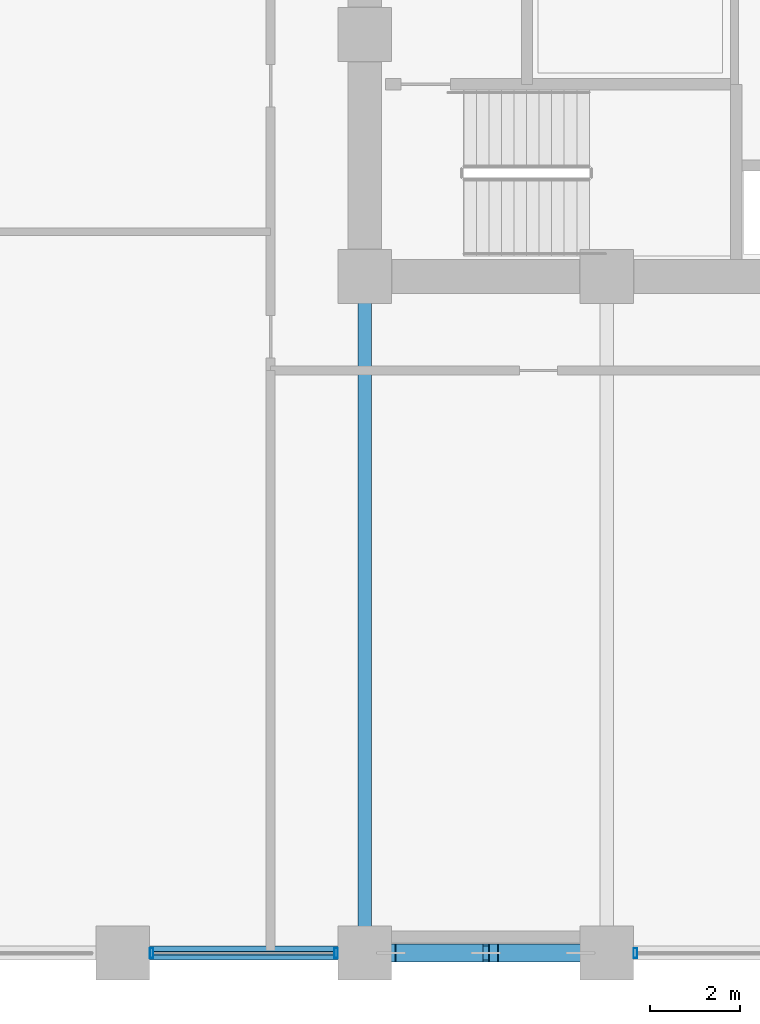
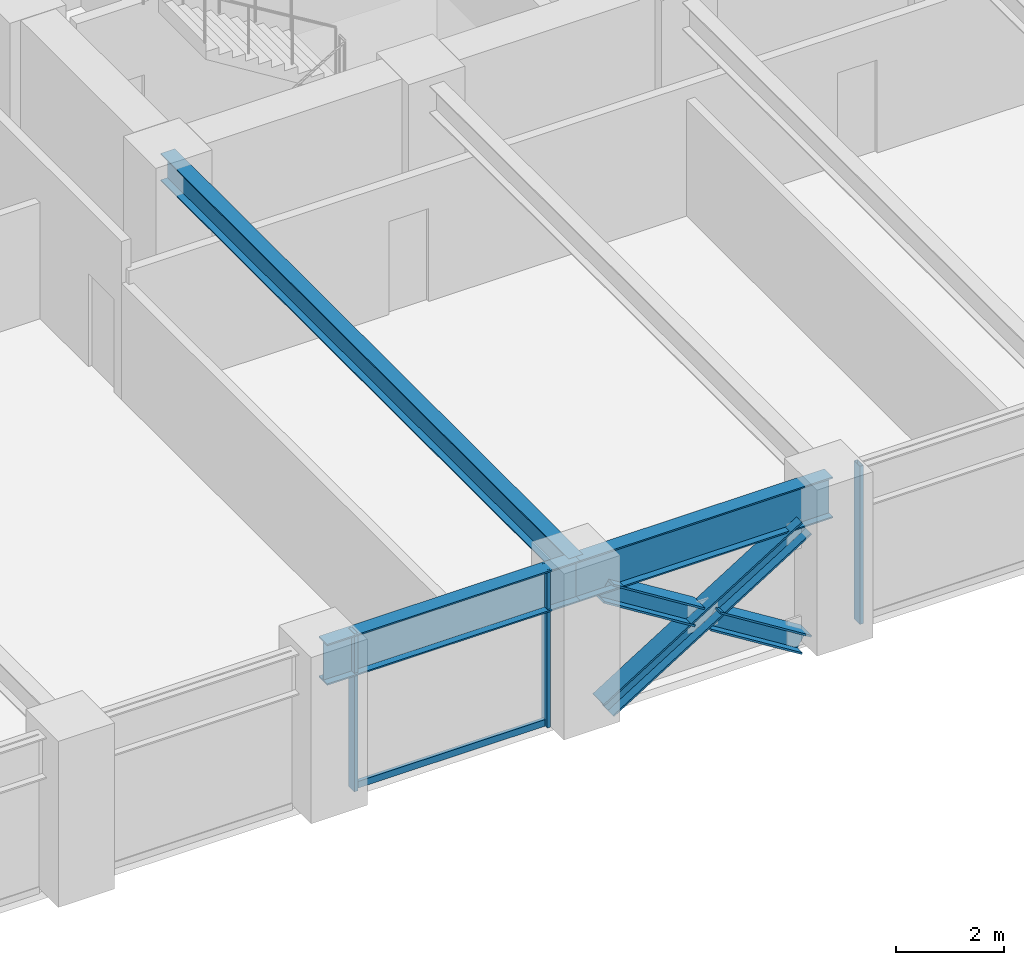
# One storey, part 4 of 27: 7 members, 3 beams, 2 elements without a shape of their own.
"""IFC4 building model written with IfcOpenShell, lengths in metres."""

from ifc_helpers import new_model, si_unit, direction, frame, origin, origin_2d, place, context, subcontext, project, spatial, hollow_rectangle, i_section, extrude, material, layer, layer_set, material_profile, profile_set, type_object, element, aggregate, save


model = new_model("IFC4")

# Units and contexts
model_context = context("Model", 3, precision=1e-05, world=origin(), true_north=direction((0.0, 1.0)))
body_context = subcontext(model_context, "Body", "Model", "MODEL_VIEW")
ifc_project = project(units=[si_unit("LENGTHUNIT", "METRE"), si_unit("AREAUNIT", "SQUARE_METRE"), si_unit("VOLUMEUNIT", "CUBIC_METRE"), si_unit("PLANEANGLEUNIT", "RADIAN"), si_unit("MASSUNIT", "GRAM", prefix="KILO")], contexts=[model_context])

# Site, building, storey
site_placement = place(None, origin())
site = spatial("IfcSite", under=ifc_project, at=site_placement, CompositionType="ELEMENT")
building_placement = place(site_placement, origin())
building = spatial("IfcBuilding", under=site, at=building_placement, Name="Surkhivell Harbour Commons", CompositionType="ELEMENT")
storey_placement = place(building_placement, frame((0.0, 0.0, 56.25)))
storey = spatial("IfcBuildingStorey", under=building, at=storey_placement, Name="L14", CompositionType="ELEMENT", Elevation=56.25)

# Beams
ifc_material_1 = material(Name="Steel S355", Category="steel")
ifc_material_profile_1 = material_profile(ifc_material_1, i_section(OverallWidth=0.306884765625, OverallDepth=0.6201171875, WebThickness=0.01416015625, FlangeThickness=0.023681640625, at=origin_2d()), Name="UB610x305x179")
ifc_profile_set_1 = profile_set([ifc_material_profile_1], Name="Steel S355")
beam_type_1 = type_object("IfcBeamType", Name="BM-GRD-610A", PredefinedType="BEAM", material=ifc_profile_set_1)
beam_1_placement = place(storey_placement, frame((-10.800048828125, -25.89990234375, 3.260009765625), z_axis=(0.0, 1.0, 0.0), x_axis=(-1.0, 0.0, 0.0)))
element("IfcBeam", 1, at=beam_1_placement, inside=storey, type_object=beam_type_1, Name="L14 Floor Girder (-10.8,-25.9)", PredefinedType="BEAM", context=body_context, shape_type="SweptSolid", body=[
    extrude(i_section(OverallWidth=0.306884765625, OverallDepth=0.6201171875, WebThickness=0.01416015625, FlangeThickness=0.023681640625, at=origin_2d()), origin(), (0.0, 0.0, 1.0), 15.099853515625),
])
ifc_material_2 = material(Name="Steel S460", Category="steel")
ifc_material_profile_2 = material_profile(ifc_material_2, i_section(OverallWidth=0.30810546875, OverallDepth=0.927001953125, WebThickness=0.01953125, FlangeThickness=0.031982421875, at=origin_2d()), Name="UB914x305x289")
ifc_profile_set_2 = profile_set([ifc_material_profile_2], Name="Steel S460")
beam_type_2 = type_object("IfcBeamType", Name="BM-SPN-914B", PredefinedType="SPANDREL", material=ifc_profile_set_2)
beam_2_placement = place(storey_placement, frame((-16.199951171875, -25.89990234375, 3.1064453125), z_axis=(1.0, 0.0, 0.0), x_axis=(0.0, 1.0, 0.0)))
element("IfcBeam", 2, at=beam_2_placement, inside=storey, type_object=beam_type_2, Name="L14 Tube Spandrel (-16.2,-25.9)", PredefinedType="SPANDREL", context=body_context, shape_type="SweptSolid", body=[
    extrude(i_section(OverallWidth=0.30810546875, OverallDepth=0.927001953125, WebThickness=0.01953125, FlangeThickness=0.031982421875, at=origin_2d()), origin(), (0.0, 0.0, 1.0), 5.39990234375),
])
beam_3_placement = place(storey_placement, frame((-10.800048828125, -25.89990234375, 3.1064453125), z_axis=(1.0, 0.0, 0.0), x_axis=(0.0, 1.0, 0.0)))
element("IfcBeam", 3, at=beam_3_placement, inside=storey, type_object=beam_type_2, Name="L14 Tube Spandrel (-10.8,-25.9)", PredefinedType="SPANDREL", context=body_context, shape_type="SweptSolid", body=[
    extrude(i_section(OverallWidth=0.30810546875, OverallDepth=0.927001953125, WebThickness=0.01953125, FlangeThickness=0.031982421875, at=origin_2d()), origin(), (0.0, 0.0, 1.0), 5.400146484375),
])

# Curtain wall, members
ifc_material_3 = material(Name="Anodised pale-metal aluminium and insulated glazing", Category="aluminium")
ifc_layer = layer(ifc_material_3, 0.219970703125)
ifc_layer_set = layer_set([ifc_layer], Name="Anodised pale-metal aluminium and insulated glazing")
curtain_wall_type = type_object("IfcCurtainWallType", Name="CW-SYS-Z1", PredefinedType="NOTDEFINED", material=ifc_layer_set)
curtain_wall_1_placement = place(storey_placement, origin())
curtain_wall_1 = element("IfcCurtainWall", 4, at=curtain_wall_1_placement, inside=storey, type_object=curtain_wall_type, Name="L14 Curtain Wall CW-L14-E00S1", PredefinedType="NOTDEFINED")
ifc_material_4 = material(Name="Anodised pale-metal aluminium alloy 6063-T6", Category="aluminium")
ifc_material_profile_3 = material_profile(ifc_material_4, hollow_rectangle(XDim=0.074951171875, YDim=0.219970703125, WallThickness=0.00390625, at=origin_2d()), Name="ALU-MULL-75x220")
ifc_profile_set_3 = profile_set([ifc_material_profile_3], Name="Anodised pale-metal aluminium alloy 6063-T6")
member_type_1 = type_object("IfcMemberType", Name="CWM-220", PredefinedType="MULLION", material=ifc_profile_set_3)
member_1_placement = place(storey_placement, frame((-15.560546875, -25.89990234375, 0.0), z_axis=(0.0, 0.0, 1.0), x_axis=(1.0, 0.0, 0.0)))
member_1 = element("IfcMember", 5, at=member_1_placement, type_object=member_type_1, Name="CW-Z1 mullion 3", PredefinedType="MULLION", context=body_context, shape_type="SweptSolid", body=[
    extrude(hollow_rectangle(XDim=0.074951171875, YDim=0.219970703125, WallThickness=0.00390625, at=origin_2d()), origin(), (0.0, 0.0, 1.0), 3.570068359375),
])
member_2_placement = place(storey_placement, frame((-11.439453125, -25.89990234375, 0.0), z_axis=(0.0, 0.0, 1.0), x_axis=(1.0, 0.0, 0.0)))
member_2 = element("IfcMember", 6, at=member_2_placement, type_object=member_type_1, Name="CW-Z1 mullion 4", PredefinedType="MULLION", context=body_context, shape_type="SweptSolid", body=[
    extrude(hollow_rectangle(XDim=0.074951171875, YDim=0.219970703125, WallThickness=0.00390625, at=origin_2d()), origin(), (0.0, 0.0, 1.0), 3.570068359375),
])

# Curtain wall, member
curtain_wall_2_placement = place(storey_placement, origin())
curtain_wall_2 = element("IfcCurtainWall", 7, at=curtain_wall_2_placement, inside=storey, type_object=curtain_wall_type, Name="L14 Curtain Wall CW-L14-E00S2", PredefinedType="NOTDEFINED")
member_3_placement = place(storey_placement, frame((-4.760498046875, -25.89990234375, 0.0), z_axis=(0.0, 0.0, 1.0), x_axis=(1.0, 0.0, 0.0)))
member_3 = element("IfcMember", 8, at=member_3_placement, type_object=member_type_1, Name="CW-Z1 mullion 1", PredefinedType="MULLION", context=body_context, shape_type="SweptSolid", body=[
    extrude(hollow_rectangle(XDim=0.074951171875, YDim=0.219970703125, WallThickness=0.00390625, at=origin_2d()), origin(), (0.0, 0.0, 1.0), 3.570068359375),
])
aggregate(curtain_wall_2, [member_3])

# Member
ifc_material_profile_4 = material_profile(ifc_material_4, hollow_rectangle(XDim=0.074951171875, YDim=0.14990234375, WallThickness=0.00341796875, at=origin_2d()), Name="ALU-TRAN-75x150")
ifc_profile_set_4 = profile_set([ifc_material_profile_4], Name="Anodised pale-metal aluminium alloy 6063-T6")
member_type_2 = type_object("IfcMemberType", Name="CWT-150", PredefinedType="USERDEFINED", material=ifc_profile_set_4)
member_4_placement = place(storey_placement, frame((-15.52294921875, -25.89990234375, 0.074951171875), z_axis=(1.0, 0.0, 0.0), x_axis=(0.0, 1.0, 0.0)))
member_4 = element("IfcMember", 9, at=member_4_placement, type_object=member_type_2, Name="CW-Z1 transom 3.1", ObjectType="TRANSOM", PredefinedType="USERDEFINED", context=body_context, shape_type="SweptSolid", body=[
    extrude(hollow_rectangle(XDim=0.074951171875, YDim=0.14990234375, WallThickness=0.00341796875, at=origin_2d()), origin(), (0.0, 0.0, 1.0), 4.0458984375),
])

aggregate(curtain_wall_1, [member_1, member_2, member_4])

# Members
ifc_material_profile_5 = material_profile(ifc_material_2, i_section(OverallWidth=0.406005859375, OverallDepth=0.416015625, WebThickness=0.026611328125, FlangeThickness=0.0390625, at=origin_2d()), Name="HD400x382")
ifc_profile_set_5 = profile_set([ifc_material_profile_5], Name="Steel S460")
member_type_3 = type_object("IfcMemberType", Name="MEM-BRC-HD382", PredefinedType="BRACE", material=ifc_profile_set_5)
member_5_placement = place(storey_placement, frame((-10.215087890625, -25.89990234375, 0.008056640625), z_axis=(0.848432685315, 0.0, 0.529303295369), x_axis=(0.0, 1.0, 0.0)))
element("IfcMember", 10, at=member_5_placement, inside=storey, type_object=member_type_3, Name="L14 Perimeter Mega-Brace MB- 07", PredefinedType="BRACE", context=body_context, shape_type="SweptSolid", body=[
    extrude(i_section(OverallWidth=0.406005859375, OverallDepth=0.416015625, WebThickness=0.026611328125, FlangeThickness=0.0390625, at=origin_2d()), origin(), (0.0, 0.0, 1.0), 4.985595703125),
])
member_6_placement = place(storey_placement, frame((-5.985107421875, -25.89990234375, 0.008056640625), z_axis=(-0.848458555811, 0.0, 0.529261824688), x_axis=(0.0, -1.0, 0.0)))
element("IfcMember", 11, at=member_6_placement, inside=storey, type_object=member_type_3, Name="L14 Perimeter Mega-Brace MB- 08", PredefinedType="BRACE", context=body_context, shape_type="SweptSolid", body=[
    extrude(i_section(OverallWidth=0.406005859375, OverallDepth=0.416015625, WebThickness=0.026611328125, FlangeThickness=0.0390625, at=origin_2d()), origin(), (0.0, 0.0, 1.0), 2.29296875),
])
member_7_placement = place(storey_placement, frame((-8.269287109375, -25.89990234375, 1.43310546875), z_axis=(-0.84844057108, 0.0, 0.529290654882), x_axis=(0.0, -1.0, 0.0)))
element("IfcMember", 12, at=member_7_placement, inside=storey, type_object=member_type_3, Name="L14 Perimeter Mega-Brace MB- 09", PredefinedType="BRACE", context=body_context, shape_type="SweptSolid", body=[
    extrude(i_section(OverallWidth=0.406005859375, OverallDepth=0.416015625, WebThickness=0.026611328125, FlangeThickness=0.0390625, at=origin_2d()), origin(), (0.0, 0.0, 1.0), 2.29345703125),
])

save(model, "model.ifc")
